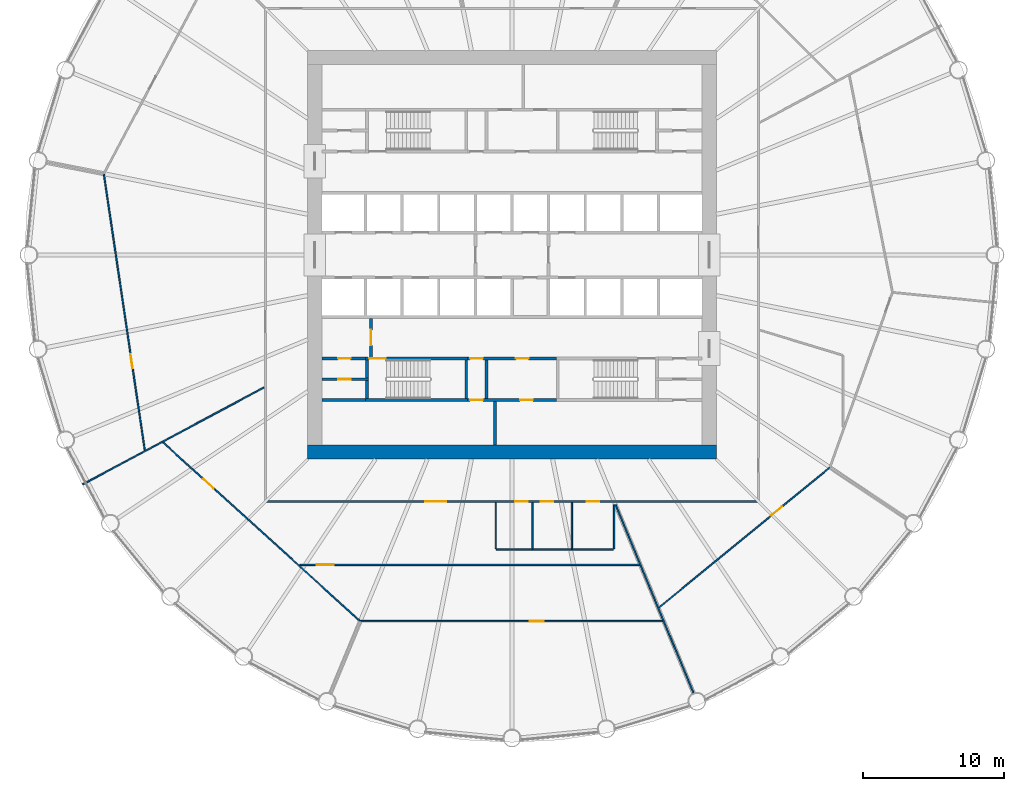
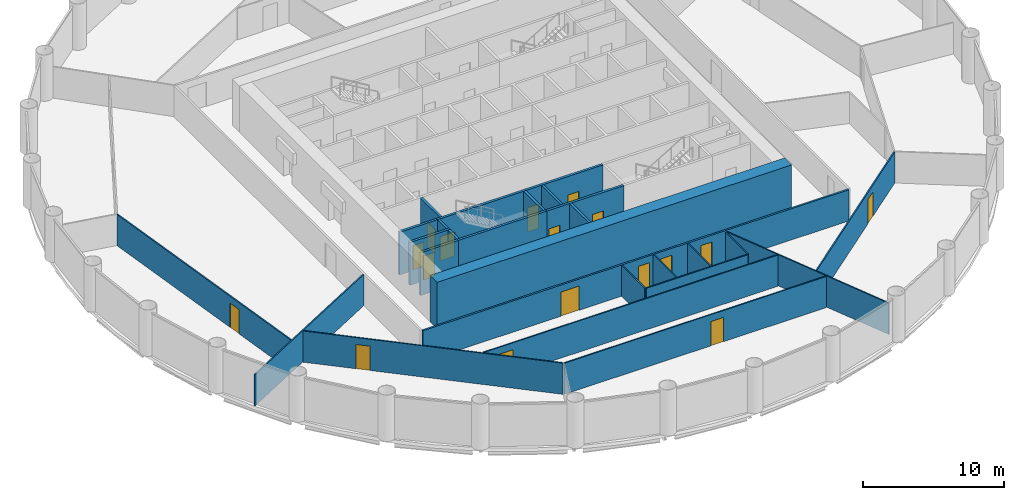
# One storey, part 4 of 8: 27 walls, 17 doors, 17 openings.
"""IFC4 building model written with IfcOpenShell, lengths in metres."""

import ifcopenshell
import ifcopenshell.guid

model = None  # the IFC model being written
_history = None  # IfcOwnerHistory: only IFC2X3 demands one
_inside = {}  # id of a spatial element -> (the spatial element, [elements in it])
_under = {}  # id of a project, library or spatial element -> (it, [spatial elements below it])
_declared = {}  # id of a project -> (the project, [libraries it declares])
_typed = {}  # id of a type object -> (the type object, [elements of that type])
_made_of = {}  # id of a material, layer set ... -> (it, [elements and type objects made of it])


def new_model(schema):
    """Start an empty IFC model of exactly this schema.

    Asked for "IFC4X3", IfcOpenShell would pick the latest addendum, in which some entities
    have other attributes; the version numbers below select the first issue.
    IFC2X3 requires an IfcOwnerHistory on every rooted entity: one is made here for all.
    """
    global model, _history
    if schema == "IFC4X3":
        model = ifcopenshell.file(schema_version=(4, 3, 0, 0))
    else:
        model = ifcopenshell.file(schema=schema)
    _inside.clear()
    _under.clear()
    _declared.clear()
    _typed.clear()
    _made_of.clear()
    _history = None
    if model.schema == "IFC2X3":
        org = make("IfcOrganization", Name="unknown")
        user = make(
            "IfcPersonAndOrganization",
            ThePerson=make("IfcPerson", FamilyName="unknown"),
            TheOrganization=org,
        )
        app = make(
            "IfcApplication",
            ApplicationDeveloper=org,
            Version="unknown",
            ApplicationFullName="unknown",
            ApplicationIdentifier="unknown",
        )
        _history = make(
            "IfcOwnerHistory",
            OwningUser=user,
            OwningApplication=app,
            ChangeAction="ADDED",
            CreationDate=0,
        )
    return model


def make(cls, **values):
    """One entity of the class cls with the attributes given. An attribute that is None is left unset."""
    return model.create_entity(
        cls, **{name: value for name, value in values.items() if value is not None}
    )


def rooted(cls, **values):
    """An entity with a GlobalId (a new one), such as an element, a storey or a relation."""
    return make(cls, GlobalId=ifcopenshell.guid.new(), OwnerHistory=_history, **values)


def si_unit(unit_type, name, prefix=None):
    """IfcSIUnit, for example si_unit("LENGTHUNIT", "METRE", prefix="MILLI")."""
    return make("IfcSIUnit", UnitType=unit_type, Prefix=prefix, Name=name)


def assignment(units):
    """IfcUnitAssignment: the units of a project."""
    return None if units is None else make("IfcUnitAssignment", Units=units)


def point(xyz):
    """IfcCartesianPoint."""
    return None if xyz is None else make("IfcCartesianPoint", Coordinates=xyz)


def direction(xyz):
    """IfcDirection."""
    return None if xyz is None else make("IfcDirection", DirectionRatios=xyz)


def frame(location, z_axis=None, x_axis=None):
    """IfcAxis2Placement3D, a coordinate frame: its origin and axes. An axis left out is left unset."""
    return make(
        "IfcAxis2Placement3D",
        Location=point(location),
        Axis=direction(z_axis),
        RefDirection=direction(x_axis),
    )


def frame_2d(location, x_axis=None):
    """IfcAxis2Placement2D, a coordinate frame in the plane: its origin and x axis."""
    return make(
        "IfcAxis2Placement2D", Location=point(location), RefDirection=direction(x_axis)
    )


def origin():
    """The frame at (0, 0, 0) with its axes left unset."""
    return frame((0.0, 0.0, 0.0))


def place(relative_to, where):
    """IfcLocalPlacement: puts the frame where relative to a parent placement (None: the world)."""
    return make(
        "IfcLocalPlacement", PlacementRelTo=relative_to, RelativePlacement=where
    )


def context(
    kind, dimensions, precision=None, world=None, true_north=None, identifier=None
):
    """IfcGeometricRepresentationContext, for example the 3D "Model" context."""
    return make(
        "IfcGeometricRepresentationContext",
        ContextIdentifier=identifier,
        ContextType=kind,
        CoordinateSpaceDimension=dimensions,
        Precision=precision,
        WorldCoordinateSystem=world,
        TrueNorth=true_north,
    )


def subcontext(parent, identifier, kind, view, scale=None):
    """IfcGeometricRepresentationSubContext, for example "Body" below "Model"."""
    return make(
        "IfcGeometricRepresentationSubContext",
        ContextIdentifier=identifier,
        ContextType=kind,
        ParentContext=parent,
        TargetScale=scale,
        TargetView=view,
    )


def project(units=None, contexts=None):
    """IfcProject with its units and contexts."""
    return rooted(
        "IfcProject",
        Name="project",
        RepresentationContexts=contexts,
        UnitsInContext=assignment(units),
    )


def spatial(cls, under=None, at=None, **own):
    """A site, building, storey or space (cls), placed at a placement, below another one or the project."""
    s = rooted(cls, ObjectPlacement=at, **own)
    if under is not None:
        _under.setdefault(under.id(), (under, []))[1].append(s)
    return s


def polyline(points):
    """IfcPolyline through the points."""
    return make("IfcPolyline", Points=[point(p) for p in points])


def profile(cls, at=None, kind="AREA", **sizes):
    """A parametric profile (cls). Its sizes go by their IFC names, for example OverallWidth=200.0."""
    return make(cls, ProfileType=kind, Position=at, **sizes)


def rectangle(**sizes):
    """IfcRectangleProfileDef."""
    return profile("IfcRectangleProfileDef", **sizes)


def outline(outer, holes=None, kind="AREA"):
    """IfcArbitraryClosedProfileDef: a profile drawn as a closed curve; with holes, ...WithVoids."""
    if holes is None:
        return make("IfcArbitraryClosedProfileDef", ProfileType=kind, OuterCurve=outer)
    return make(
        "IfcArbitraryProfileDefWithVoids",
        ProfileType=kind,
        OuterCurve=outer,
        InnerCurves=holes,
    )


def extrude(swept, where, along, depth):
    """IfcExtrudedAreaSolid: the profile swept, set in the frame where, extruded along a direction by depth."""
    return make(
        "IfcExtrudedAreaSolid",
        SweptArea=swept,
        Position=where,
        ExtrudedDirection=direction(along),
        Depth=depth,
    )


def shape(context_of_items, identifier, shape_type, items):
    """IfcShapeRepresentation: the items that make up one representation, for example the "Body"."""
    return make(
        "IfcShapeRepresentation",
        ContextOfItems=context_of_items,
        RepresentationIdentifier=identifier,
        RepresentationType=shape_type,
        Items=items,
    )


def material(Name=None, Category=None):
    """IfcMaterial."""
    return make("IfcMaterial", Name=Name, Category=Category)


def layer(
    of_material, thickness, ventilated=None, Name=None, Category=None, Priority=None
):
    """IfcMaterialLayer: one layer of a wall or slab, of a material (None: an air gap)."""
    return make(
        "IfcMaterialLayer",
        Material=of_material,
        LayerThickness=thickness,
        IsVentilated=ventilated,
        Name=Name,
        Category=Category,
        Priority=Priority,
    )


def layer_set(layers, Name=None):
    """IfcMaterialLayerSet."""
    return make("IfcMaterialLayerSet", MaterialLayers=layers, LayerSetName=Name)


def made_of(thing, what):
    """Note that an element or type object is made of a material, layer set ...; save() writes the relation."""
    if what is not None:
        _made_of.setdefault(what.id(), (what, []))[1].append(thing)
    return thing


def type_object(cls, material=None, **own):
    """A type object (cls), such as IfcWallType, which elements share."""
    return made_of(rooted(cls, **own), material)


def element(
    cls,
    number,
    at=None,
    inside=None,
    cuts=None,
    type_object=None,
    material=None,
    context=None,
    identifier="Body",
    shape_type=None,
    held_by="IfcProductDefinitionShape",
    body=None,
    shapes=None,
    **own,
):
    """One element of the class cls, such as IfcWall. Its Tag is "e" and its number.

    at: its placement. inside: the storey or other place that contains it. cuts: it is an
    opening in that element (IfcRelVoidsElement). A single representation is given by context,
    identifier, shape_type and body (its items); several are given by shapes. held_by: the class
    of the entity that holds the representations. save() writes the other relations.
    """
    e = rooted(cls, Tag="e%d" % number, ObjectPlacement=at, **own)
    if body is not None:
        shapes = [shape(context, identifier, shape_type, body)]
    if shapes is not None:
        e.Representation = make(held_by, Representations=shapes)
    if inside is not None:
        _inside.setdefault(inside.id(), (inside, []))[1].append(e)
    if cuts is not None:
        rooted(
            "IfcRelVoidsElement", RelatingBuildingElement=cuts, RelatedOpeningElement=e
        )
    if type_object is not None:
        _typed.setdefault(type_object.id(), (type_object, []))[1].append(e)
    return made_of(e, material)


def fill(opening, filler):
    """IfcRelFillsElement: the door or window that sits in an opening."""
    return rooted(
        "IfcRelFillsElement",
        RelatingOpeningElement=opening,
        RelatedBuildingElement=filler,
    )


def aggregate(whole, parts):
    """IfcRelAggregates: a whole, such as a stair, and the parts it consists of."""
    return rooted("IfcRelAggregates", RelatingObject=whole, RelatedObjects=parts)


def save(model, path):
    """Write the relations noted so far, then the file.

    IfcRelAggregates (storeys below a building ...), IfcRelContainedInSpatialStructure (elements
    in a storey), IfcRelDefinesByType, IfcRelAssociatesMaterial and IfcRelDeclares: one each for
    every whole, place, type object, material and project.
    """
    for whole, parts in _under.values():
        aggregate(whole, parts)
    for where, things in _inside.values():
        rooted(
            "IfcRelContainedInSpatialStructure",
            RelatedElements=things,
            RelatingStructure=where,
        )
    for kind, things in _typed.values():
        rooted("IfcRelDefinesByType", RelatedObjects=things, RelatingType=kind)
    for what, things in _made_of.values():
        rooted("IfcRelAssociatesMaterial", RelatedObjects=things, RelatingMaterial=what)
    for by, libraries in _declared.values():
        rooted("IfcRelDeclares", RelatingContext=by, RelatedDefinitions=libraries)
    model.write(path)


model = new_model("IFC4")

# Units and contexts
model_context = context("Model", 3, precision=1e-05, world=origin(), true_north=direction((0.0, 1.0)))
body_context = subcontext(model_context, "Body", "Model", "MODEL_VIEW")
ifc_project = project(units=[si_unit("LENGTHUNIT", "METRE"), si_unit("AREAUNIT", "SQUARE_METRE"), si_unit("VOLUMEUNIT", "CUBIC_METRE"), si_unit("PLANEANGLEUNIT", "RADIAN"), si_unit("MASSUNIT", "GRAM", prefix="KILO")], contexts=[model_context])

# Site, building, storey
site_placement = place(None, origin())
site = spatial("IfcSite", under=ifc_project, at=site_placement, CompositionType="ELEMENT")
building_placement = place(site_placement, origin())
building = spatial("IfcBuilding", under=site, at=building_placement, Name="Corvane Civic Tower", CompositionType="ELEMENT")
storey_placement = place(building_placement, frame((0.0, 0.0, 114.5)))
storey = spatial("IfcBuildingStorey", under=building, at=storey_placement, Name="L26", CompositionType="ELEMENT", Elevation=114.5)

# Wall
ifc_material_1 = material(Name="Concrete C70/85", Category="concrete")
ifc_layer_1 = layer(ifc_material_1, 1.0)
ifc_layer_set_1 = layer_set([ifc_layer_1], Name="Concrete C70/85")
wall_type_1 = type_object("IfcWallType", Name="CORE WALL 1000 C70/85", PredefinedType="SHEAR", material=ifc_layer_set_1)
wall_1_placement = place(storey_placement, frame((-14.5, -14.0, 0.0), z_axis=(0.0, 0.0, 1.0), x_axis=(1.0, 0.0, 0.0)))
element("IfcWall", 1, at=wall_1_placement, inside=storey, type_object=wall_type_1, Name="W-L26-core-S", PredefinedType="SHEAR", context=body_context, shape_type="SweptSolid", body=[
    extrude(rectangle(XDim=29.0, YDim=1.0, at=frame_2d((14.5, 0.0))), origin(), (0.0, 0.0, 1.0), 4.0),
])

# Wall, openings, doors
ifc_material_2 = material(Name="Concrete C30/37", Category="concrete")
ifc_layer_2 = layer(ifc_material_2, 0.199951171875)
ifc_layer_set_2 = layer_set([ifc_layer_2], Name="Concrete C30/37")
wall_type_2 = type_object("IfcWallType", Name="CR-WALL-200", PredefinedType="PARTITIONING", material=ifc_layer_set_2)
wall_2_placement = place(storey_placement, frame((-3.14990234375, -10.300048828125, 0.0), z_axis=(0.0, 0.0, 1.0), x_axis=(1.0, 0.0, 0.0)))
wall_2 = element("IfcWall", 2, at=wall_2_placement, inside=storey, type_object=wall_type_2, Name="L26 partition wall", PredefinedType="PARTITIONING", context=body_context, shape_type="SweptSolid", body=[
    extrude(rectangle(XDim=6.2998046875, YDim=0.199951171875, at=frame_2d((3.14990234375, 0.0))), origin(), (0.0, 0.0, 1.0), 3.699951171875),
])
opening_1_placement = place(wall_2_placement, frame((0.175048828125, 0.0, 0.0)))
opening_1 = element("IfcOpeningElement", 3, at=opening_1_placement, cuts=wall_2, Name="Opening L26.C08", PredefinedType="OPENING", context=body_context, shape_type="SweptSolid", body=[
    extrude(rectangle(XDim=0.89990234375, YDim=2.10009765625, at=frame_2d((0.449951171875, 1.050048828125))), frame((0.0, 0.10986328125, 0.0), z_axis=(0.0, -1.0, 0.0), x_axis=(1.0, 0.0, 0.0)), (0.0, 0.0, 1.0), 0.219970703125),
])
opening_2_placement = place(wall_2_placement, frame((3.72509765625, 0.0, 0.0)))
opening_2 = element("IfcOpeningElement", 4, at=opening_2_placement, cuts=wall_2, Name="Opening L26.C09", PredefinedType="OPENING", context=body_context, shape_type="SweptSolid", body=[
    extrude(rectangle(XDim=0.89990234375, YDim=2.10009765625, at=frame_2d((0.449951171875, 1.050048828125))), frame((0.0, 0.10986328125, 0.0), z_axis=(0.0, -1.0, 0.0), x_axis=(1.0, 0.0, 0.0)), (0.0, 0.0, 1.0), 0.219970703125),
])
ifc_material_3 = material(Name="Steel fire door leaf", Category="steel")
door_type_1 = type_object("IfcDoorType", Name="CR-DOOR-900", OperationType="SINGLE_SWING_LEFT", PredefinedType="DOOR", material=ifc_material_3)
door_1_placement = place(opening_1_placement, origin())
door_1 = element("IfcDoor", 5, at=door_1_placement, inside=storey, type_object=door_type_1, Name="L26 door", OperationType="SINGLE_SWING_LEFT", OverallHeight=2.10009765625, OverallWidth=0.89990234375, PredefinedType="DOOR", context=body_context, shape_type="SweptSolid", body=[
    extrude(rectangle(XDim=0.89990234375, YDim=2.10009765625, at=frame_2d((0.449951171875, 1.050048828125))), frame((0.0, 0.02490234375, 0.0), z_axis=(0.0, -1.0, 0.0), x_axis=(1.0, 0.0, 0.0)), (0.0, 0.0, 1.0), 0.050048828125),
])
fill(opening_1, door_1)
door_2_placement = place(opening_2_placement, origin())
door_2 = element("IfcDoor", 6, at=door_2_placement, inside=storey, type_object=door_type_1, Name="L26 door", OperationType="SINGLE_SWING_LEFT", OverallHeight=2.10009765625, OverallWidth=0.89990234375, PredefinedType="DOOR", context=body_context, shape_type="SweptSolid", body=[
    extrude(rectangle(XDim=0.89990234375, YDim=2.10009765625, at=frame_2d((0.449951171875, 1.050048828125))), frame((0.0, 0.02490234375, 0.0), z_axis=(0.0, -1.0, 0.0), x_axis=(1.0, 0.0, 0.0)), (0.0, 0.0, 1.0), 0.050048828125),
])
fill(opening_2, door_2)

# Wall, opening, door
wall_3_placement = place(storey_placement, frame((-13.5, -8.824951171875, 0.0), z_axis=(0.0, 0.0, 1.0), x_axis=(1.0, 0.0, 0.0)))
wall_3 = element("IfcWall", 7, at=wall_3_placement, inside=storey, type_object=wall_type_2, Name="L26 partition wall", PredefinedType="PARTITIONING", context=body_context, shape_type="SweptSolid", body=[
    extrude(rectangle(XDim=3.300048828125, YDim=0.199951171875, at=frame_2d((1.64990234375, 0.0))), origin(), (0.0, 0.0, 1.0), 3.699951171875),
])
opening_3_placement = place(wall_3_placement, frame((1.14990234375, 0.0, 0.0)))
opening_3 = element("IfcOpeningElement", 8, at=opening_3_placement, cuts=wall_3, Name="Opening L26.C13", PredefinedType="OPENING", context=body_context, shape_type="SweptSolid", body=[
    extrude(rectangle(XDim=0.89990234375, YDim=2.10009765625, at=frame_2d((0.449951171875, 1.050048828125))), frame((0.0, 0.10986328125, 0.0), z_axis=(0.0, -1.0, 0.0), x_axis=(1.0, 0.0, 0.0)), (0.0, 0.0, 1.0), 0.219970703125),
])
door_3_placement = place(opening_3_placement, origin())
door_3 = element("IfcDoor", 9, at=door_3_placement, inside=storey, type_object=door_type_1, Name="L26 door", OperationType="SINGLE_SWING_LEFT", OverallHeight=2.10009765625, OverallWidth=0.89990234375, PredefinedType="DOOR", context=body_context, shape_type="SweptSolid", body=[
    extrude(rectangle(XDim=0.89990234375, YDim=2.10009765625, at=frame_2d((0.449951171875, 1.050048828125))), frame((0.0, 0.02490234375, 0.0), z_axis=(0.0, -1.0, 0.0), x_axis=(1.0, 0.0, 0.0)), (0.0, 0.0, 1.0), 0.050048828125),
])
fill(opening_3, door_3)

wall_4_placement = place(storey_placement, frame((-13.5, -7.35009765625, 0.0), z_axis=(0.0, 0.0, 1.0), x_axis=(1.0, 0.0, 0.0)))
wall_4 = element("IfcWall", 10, at=wall_4_placement, inside=storey, type_object=wall_type_2, Name="L26 core partition wall", PredefinedType="PARTITIONING", context=body_context, shape_type="SweptSolid", body=[
    extrude(rectangle(XDim=3.10009765625, YDim=0.199951171875, at=frame_2d((1.550048828125, 0.0))), origin(), (0.0, 0.0, 1.0), 3.699951171875),
])
opening_4_placement = place(wall_4_placement, frame((1.14990234375, 0.0, 0.0)))
opening_4 = element("IfcOpeningElement", 11, at=opening_4_placement, cuts=wall_4, Name="Opening L26.C12", PredefinedType="OPENING", context=body_context, shape_type="SweptSolid", body=[
    extrude(rectangle(XDim=0.89990234375, YDim=2.10009765625, at=frame_2d((0.449951171875, 1.050048828125))), frame((0.0, 0.10986328125, 0.0), z_axis=(0.0, -1.0, 0.0), x_axis=(1.0, 0.0, 0.0)), (0.0, 0.0, 1.0), 0.219970703125),
])
door_4_placement = place(opening_4_placement, origin())
door_4 = element("IfcDoor", 12, at=door_4_placement, inside=storey, type_object=door_type_1, Name="L26 door", OperationType="SINGLE_SWING_LEFT", OverallHeight=2.10009765625, OverallWidth=0.89990234375, PredefinedType="DOOR", context=body_context, shape_type="SweptSolid", body=[
    extrude(rectangle(XDim=0.89990234375, YDim=2.10009765625, at=frame_2d((0.449951171875, 1.050048828125))), frame((0.0, 0.02490234375, 0.0), z_axis=(0.0, -1.0, 0.0), x_axis=(1.0, 0.0, 0.0)), (0.0, 0.0, 1.0), 0.050048828125),
])
fill(opening_4, door_4)

# Wall, openings, doors
wall_5_placement = place(storey_placement, frame((-3.14990234375, -7.35009765625, 0.0), z_axis=(0.0, 0.0, 1.0), x_axis=(1.0, 0.0, 0.0)))
wall_5 = element("IfcWall", 13, at=wall_5_placement, inside=storey, type_object=wall_type_2, Name="L26 core partition wall", PredefinedType="PARTITIONING", context=body_context, shape_type="SweptSolid", body=[
    extrude(rectangle(XDim=6.2998046875, YDim=0.199951171875, at=frame_2d((3.14990234375, 0.0))), origin(), (0.0, 0.0, 1.0), 3.699951171875),
])
opening_5_placement = place(wall_5_placement, frame((0.175048828125, 0.0, 0.0)))
opening_5 = element("IfcOpeningElement", 14, at=opening_5_placement, cuts=wall_5, Name="Opening L26.C04", PredefinedType="OPENING", context=body_context, shape_type="SweptSolid", body=[
    extrude(rectangle(XDim=0.89990234375, YDim=2.10009765625, at=frame_2d((0.449951171875, 1.050048828125))), frame((0.0, 0.10986328125, 0.0), z_axis=(0.0, -1.0, 0.0), x_axis=(1.0, 0.0, 0.0)), (0.0, 0.0, 1.0), 0.219970703125),
])
opening_6_placement = place(wall_5_placement, frame((3.425048828125, 0.0, 0.0)))
opening_6 = element("IfcOpeningElement", 15, at=opening_6_placement, cuts=wall_5, Name="Opening L26.C05", PredefinedType="OPENING", context=body_context, shape_type="SweptSolid", body=[
    extrude(rectangle(XDim=0.89990234375, YDim=2.10009765625, at=frame_2d((0.449951171875, 1.050048828125))), frame((0.0, 0.10986328125, 0.0), z_axis=(0.0, -1.0, 0.0), x_axis=(1.0, 0.0, 0.0)), (0.0, 0.0, 1.0), 0.219970703125),
])
door_5_placement = place(opening_5_placement, origin())
door_5 = element("IfcDoor", 16, at=door_5_placement, inside=storey, type_object=door_type_1, Name="L26 door", OperationType="SINGLE_SWING_LEFT", OverallHeight=2.10009765625, OverallWidth=0.89990234375, PredefinedType="DOOR", context=body_context, shape_type="SweptSolid", body=[
    extrude(rectangle(XDim=0.89990234375, YDim=2.10009765625, at=frame_2d((0.449951171875, 1.050048828125))), frame((0.0, 0.02490234375, 0.0), z_axis=(0.0, -1.0, 0.0), x_axis=(1.0, 0.0, 0.0)), (0.0, 0.0, 1.0), 0.050048828125),
])
fill(opening_5, door_5)
door_6_placement = place(opening_6_placement, origin())
door_6 = element("IfcDoor", 17, at=door_6_placement, inside=storey, type_object=door_type_1, Name="L26 door", OperationType="SINGLE_SWING_LEFT", OverallHeight=2.10009765625, OverallWidth=0.89990234375, PredefinedType="DOOR", context=body_context, shape_type="SweptSolid", body=[
    extrude(rectangle(XDim=0.89990234375, YDim=2.10009765625, at=frame_2d((0.449951171875, 1.050048828125))), frame((0.0, 0.02490234375, 0.0), z_axis=(0.0, -1.0, 0.0), x_axis=(1.0, 0.0, 0.0)), (0.0, 0.0, 1.0), 0.050048828125),
])
fill(opening_6, door_6)

# Wall, opening, door
wall_6_placement = place(storey_placement, frame((-10.0, -7.25, 0.0), z_axis=(0.0, 0.0, 1.0), x_axis=(0.0, 1.0, 0.0)))
wall_6 = element("IfcWall", 18, at=wall_6_placement, inside=storey, type_object=wall_type_2, Name="L26 core partition wall", PredefinedType="PARTITIONING", context=body_context, shape_type="SweptSolid", body=[
    extrude(rectangle(XDim=2.75, YDim=0.199951171875, at=frame_2d((1.375, 0.0))), origin(), (0.0, 0.0, 1.0), 3.699951171875),
])
opening_7_placement = place(wall_6_placement, frame((0.824951171875, 0.0, 0.0)))
opening_7 = element("IfcOpeningElement", 19, at=opening_7_placement, cuts=wall_6, Name="Opening L26.C26", PredefinedType="OPENING", context=body_context, shape_type="SweptSolid", body=[
    extrude(rectangle(XDim=1.10009765625, YDim=2.10009765625, at=frame_2d((0.550048828125, 1.050048828125))), frame((0.0, 0.10986328125, 0.0), z_axis=(0.0, -1.0, 0.0), x_axis=(1.0, 0.0, 0.0)), (0.0, 0.0, 1.0), 0.219970703125),
])
ifc_material_4 = material(Name="Steel fire door leaf", Category="steel")
door_type_2 = type_object("IfcDoorType", Name="CR-DOOR-FFL-1100", OperationType="SINGLE_SWING_LEFT", PredefinedType="DOOR", material=ifc_material_4)
door_7_placement = place(opening_7_placement, origin())
door_7 = element("IfcDoor", 20, at=door_7_placement, inside=storey, type_object=door_type_2, Name="L26 lobby door", OperationType="SINGLE_SWING_LEFT", OverallHeight=2.10009765625, OverallWidth=1.10009765625, PredefinedType="DOOR", context=body_context, shape_type="SweptSolid", body=[
    extrude(rectangle(XDim=1.10009765625, YDim=2.10009765625, at=frame_2d((0.550048828125, 1.050048828125))), frame((0.0, 0.02490234375, 0.0), z_axis=(0.0, -1.0, 0.0), x_axis=(1.0, 0.0, 0.0)), (0.0, 0.0, 1.0), 0.050048828125),
])
fill(opening_7, door_7)

# Walls
wall_7_placement = place(storey_placement, origin())
element("IfcWall", 21, at=wall_7_placement, inside=storey, type_object=wall_type_2, Name="L26 core partition wall", PredefinedType="PARTITIONING", context=body_context, shape_type="SweptSolid", body=[
    extrude(outline(polyline([(-10.39990234375, -10.39990234375), (-13.5, -10.39990234375), (-13.5, -10.199951171875), (-10.39990234375, -10.199951171875), (-10.39990234375, -10.39990234375)])), origin(), (0.0, 0.0, 1.0), 3.699951171875),
])
wall_8_placement = place(storey_placement, origin())
element("IfcWall", 22, at=wall_8_placement, inside=storey, type_object=wall_type_2, Name="L26 core partition wall", PredefinedType="PARTITIONING", context=body_context, shape_type="SweptSolid", body=[
    extrude(outline(polyline([(-1.699951171875, -7.449951171875), (-1.699951171875, -10.199951171875), (-1.89990234375, -10.199951171875), (-1.89990234375, -7.449951171875), (-1.699951171875, -7.449951171875)])), origin(), (0.0, 0.0, 1.0), 3.699951171875),
])
wall_9_placement = place(storey_placement, origin())
element("IfcWall", 23, at=wall_9_placement, inside=storey, type_object=wall_type_2, Name="L26 core partition wall", PredefinedType="PARTITIONING", context=body_context, shape_type="SweptSolid", body=[
    extrude(outline(polyline([(-1.10009765625, -10.39990234375), (-1.10009765625, -13.5), (-1.300048828125, -13.5), (-1.300048828125, -10.39990234375), (-1.10009765625, -10.39990234375)])), origin(), (0.0, 0.0, 1.0), 3.699951171875),
])
ifc_material_5 = material(Name="Plasterboard")
ifc_layer_3 = layer(ifc_material_5, 0.10009765625)
ifc_layer_set_3 = layer_set([ifc_layer_3], Name="Plasterboard")
wall_type_3 = type_object("IfcWallType", Name="Partition 100 plasterboard on studs", PredefinedType="PARTITIONING", material=ifc_layer_set_3)
wall_10_placement = place(storey_placement, frame((7.344970703125, -17.732177734375, 0.0), z_axis=(0.0, 0.0, 1.0), x_axis=(0.382683554333, -0.923879481991, 0.0)))
element("IfcWall", 24, at=wall_10_placement, inside=storey, type_object=wall_type_3, Name="Partition L26.002", PredefinedType="PARTITIONING", context=body_context, shape_type="SweptSolid", body=[
    extrude(rectangle(XDim=14.4716796875, YDim=0.10009765625, at=frame_2d((7.23583984375, 0.0))), origin(), (0.0, 0.0, 1.0), 2.699951171875),
])

# Wall, opening, door
wall_11_placement = place(storey_placement, frame((-10.736328125, -26.00048828125, 0.0), z_axis=(0.0, 0.0, 1.0), x_axis=(1.0, 0.0, 0.0)))
wall_11 = element("IfcWall", 25, at=wall_11_placement, inside=storey, type_object=wall_type_3, Name="Partition L26.003", PredefinedType="PARTITIONING", context=body_context, shape_type="SweptSolid", body=[
    extrude(rectangle(XDim=21.43115234375, YDim=0.10009765625, at=frame_2d((10.715576171875, 0.0))), origin(), (0.0, 0.0, 1.0), 2.699951171875),
])
opening_8_placement = place(wall_11_placement, frame((11.990966796875, 0.0, 0.0)))
opening_8 = element("IfcOpeningElement", 26, at=opening_8_placement, cuts=wall_11, Name="Opening L26.001", PredefinedType="OPENING", context=body_context, shape_type="SweptSolid", body=[
    extrude(rectangle(XDim=1.0, YDim=2.10009765625, at=frame_2d((0.5, 1.050048828125))), frame((0.0, 0.06005859375, 0.0), z_axis=(0.0, -1.0, 0.0), x_axis=(1.0, 0.0, 0.0)), (0.0, 0.0, 1.0), 0.1201171875),
])
ifc_material_6 = material(Name="Timber", Category="wood")
door_type_3 = type_object("IfcDoorType", Name="Single door 1000", OperationType="NOTDEFINED", PredefinedType="DOOR", material=ifc_material_6)
door_8_placement = place(opening_8_placement, frame((1.0, 0.0, 0.0), z_axis=(0.0, 0.0, 1.0), x_axis=(-1.0, 0.0, 0.0)))
door_8 = element("IfcDoor", 27, at=door_8_placement, inside=storey, type_object=door_type_3, Name="Door L26.001", OperationType="SINGLE_SWING_RIGHT", OverallHeight=2.10009765625, OverallWidth=1.0, PredefinedType="DOOR", context=body_context, shape_type="SweptSolid", body=[
    extrude(rectangle(XDim=1.0, YDim=2.10009765625, at=frame_2d((0.5, 1.050048828125))), frame((0.0, 0.02490234375, 0.0), z_axis=(0.0, -1.0, 0.0), x_axis=(1.0, 0.0, 0.0)), (0.0, 0.0, 1.0), 0.050048828125),
])
fill(opening_8, door_8)

wall_12_placement = place(storey_placement, frame((-24.766845703125, -13.31396484375, 0.0), z_axis=(0.0, 0.0, 1.0), x_axis=(0.740942857596, -0.671568076801, 0.0)))
wall_12 = element("IfcWall", 28, at=wall_12_placement, inside=storey, type_object=wall_type_3, Name="Partition L26.004", PredefinedType="PARTITIONING", context=body_context, shape_type="SweptSolid", body=[
    extrude(rectangle(XDim=18.855712890625, YDim=0.10009765625, at=frame_2d((9.427734375, 0.0))), origin(), (0.0, 0.0, 1.0), 2.699951171875),
])
opening_9_placement = place(wall_12_placement, frame((3.844482421875, 0.0, 0.0)))
opening_9 = element("IfcOpeningElement", 29, at=opening_9_placement, cuts=wall_12, Name="Opening L26.002", PredefinedType="OPENING", context=body_context, shape_type="SweptSolid", body=[
    extrude(rectangle(XDim=1.0, YDim=2.10009765625, at=frame_2d((0.5, 1.050048828125))), frame((0.0, 0.06005859375, 0.0), z_axis=(0.0, -1.0, 0.0), x_axis=(1.0, 0.0, 0.0)), (0.0, 0.0, 1.0), 0.1201171875),
])
door_9_placement = place(opening_9_placement, frame((1.0, 0.0, 0.0), z_axis=(0.0, 0.0, 1.0), x_axis=(-1.0, 0.0, 0.0)))
door_9 = element("IfcDoor", 30, at=door_9_placement, inside=storey, type_object=door_type_3, Name="Door L26.002", OperationType="SINGLE_SWING_LEFT", OverallHeight=2.10009765625, OverallWidth=1.0, PredefinedType="DOOR", context=body_context, shape_type="SweptSolid", body=[
    extrude(rectangle(XDim=1.0, YDim=2.10009765625, at=frame_2d((0.5, 1.050048828125))), frame((0.0, 0.02490234375, 0.0), z_axis=(0.0, -1.0, 0.0), x_axis=(1.0, 0.0, 0.0)), (0.0, 0.0, 1.0), 0.050048828125),
])
fill(opening_9, door_9)

wall_13_placement = place(storey_placement, frame((10.438720703125, -25.03271484375, 0.0), z_axis=(0.0, 0.0, 1.0), x_axis=(0.773000215974, 0.634405758252, 0.0)))
wall_13 = element("IfcWall", 31, at=wall_13_placement, inside=storey, type_object=wall_type_3, Name="Partition L26.005", PredefinedType="PARTITIONING", context=body_context, shape_type="SweptSolid", body=[
    extrude(rectangle(XDim=15.653076171875, YDim=0.10009765625, at=frame_2d((7.82666015625, 0.0))), origin(), (0.0, 0.0, 1.0), 2.699951171875),
])
opening_10_placement = place(wall_13_placement, frame((10.2841796875, 0.0, 0.0)))
opening_10 = element("IfcOpeningElement", 32, at=opening_10_placement, cuts=wall_13, Name="Opening L26.019", PredefinedType="OPENING", context=body_context, shape_type="SweptSolid", body=[
    extrude(rectangle(XDim=1.0, YDim=2.10009765625, at=frame_2d((0.5, 1.050048828125))), frame((0.0, 0.06005859375, 0.0), z_axis=(0.0, -1.0, 0.0), x_axis=(1.0, 0.0, 0.0)), (0.0, 0.0, 1.0), 0.1201171875),
])
door_10_placement = place(opening_10_placement, frame((1.0, 0.0, 0.0), z_axis=(0.0, 0.0, 1.0), x_axis=(-1.0, 0.0, 0.0)))
door_10 = element("IfcDoor", 33, at=door_10_placement, inside=storey, type_object=door_type_3, Name="Door L26.019", OperationType="SINGLE_SWING_RIGHT", OverallHeight=2.10009765625, OverallWidth=1.0, PredefinedType="DOOR", context=body_context, shape_type="SweptSolid", body=[
    extrude(rectangle(XDim=1.0, YDim=2.10009765625, at=frame_2d((0.5, 1.050048828125))), frame((0.0, 0.02490234375, 0.0), z_axis=(0.0, -1.0, 0.0), x_axis=(1.0, 0.0, 0.0)), (0.0, 0.0, 1.0), 0.050048828125),
])
fill(opening_10, door_10)

wall_14_placement = place(storey_placement, frame((-15.0537109375, -22.0, 0.0), z_axis=(0.0, 0.0, 1.0), x_axis=(1.0, 0.0, 0.0)))
wall_14 = element("IfcWall", 34, at=wall_14_placement, inside=storey, type_object=wall_type_3, Name="Partition L26.006", PredefinedType="PARTITIONING", context=body_context, shape_type="SweptSolid", body=[
    extrude(rectangle(XDim=24.091552734375, YDim=0.10009765625, at=frame_2d((12.0458984375, 0.0))), origin(), (0.0, 0.0, 1.0), 2.699951171875),
])
opening_11_placement = place(wall_14_placement, frame((1.205078125, 0.0, 0.0)))
opening_11 = element("IfcOpeningElement", 35, at=opening_11_placement, cuts=wall_14, Name="Opening L26.003", PredefinedType="OPENING", context=body_context, shape_type="SweptSolid", body=[
    extrude(rectangle(XDim=1.199951171875, YDim=2.10009765625, at=frame_2d((0.60009765625, 1.050048828125))), frame((0.0, 0.06005859375, 0.0), z_axis=(0.0, -1.0, 0.0), x_axis=(1.0, 0.0, 0.0)), (0.0, 0.0, 1.0), 0.1201171875),
])
ifc_material_7 = material(Name="Timber", Category="wood")
door_type_4 = type_object("IfcDoorType", Name="Double door 1200", OperationType="NOTDEFINED", PredefinedType="DOOR", material=ifc_material_7)
door_11_placement = place(opening_11_placement, frame((1.199951171875, 0.0, 0.0), z_axis=(0.0, 0.0, 1.0), x_axis=(-1.0, 0.0, 0.0)))
door_11 = element("IfcDoor", 36, at=door_11_placement, inside=storey, type_object=door_type_4, Name="Door L26.003", OperationType="DOUBLE_DOOR_SINGLE_SWING", OverallHeight=2.10009765625, OverallWidth=1.199951171875, PredefinedType="DOOR", context=body_context, shape_type="SweptSolid", body=[
    extrude(rectangle(XDim=1.199951171875, YDim=2.10009765625, at=frame_2d((0.60009765625, 1.050048828125))), frame((0.0, 0.02490234375, 0.0), z_axis=(0.0, -1.0, 0.0), x_axis=(1.0, 0.0, 0.0)), (0.0, 0.0, 1.0), 0.050048828125),
])
fill(opening_11, door_11)

# Walls
wall_15_placement = place(storey_placement, frame((-1.101318359375, -20.89990234375, 0.0), z_axis=(0.0, 0.0, 1.0), x_axis=(1.0, 0.0, 0.0)))
element("IfcWall", 37, at=wall_15_placement, inside=storey, type_object=wall_type_3, Name="Partition L26.007", PredefinedType="PARTITIONING", context=body_context, shape_type="SweptSolid", body=[
    extrude(rectangle(XDim=8.300048828125, YDim=0.10009765625, at=frame_2d((4.14990234375, 0.0))), origin(), (0.0, 0.0, 1.0), 2.699951171875),
])
for number, where, z_axis, x_axis, name in (
    (38, (-1.1513671875, -20.85009765625, 0.0), (0.0, 0.0, 1.0), (0.0, 1.0, 0.0), "Partition L26.008"),
    (39, (1.44873046875, -20.85009765625, 0.0), (0.0, 0.0, 1.0), (0.0, 1.0, 0.0), "Partition L26.009"),
    (40, (4.248779296875, -20.85009765625, 0.0), (0.0, 0.0, 1.0), (0.0, 1.0, 0.0), "Partition L26.010"),
):
    element("IfcWall", number, at=place(storey_placement, frame(where, z_axis=z_axis, x_axis=x_axis)), inside=storey, type_object=wall_type_3, Name=name, PredefinedType="PARTITIONING", context=body_context, shape_type="SweptSolid", body=[
        extrude(rectangle(XDim=3.275146484375, YDim=0.10009765625, at=frame_2d((1.6376953125, 0.0))), origin(), (0.0, 0.0, 1.0), 2.699951171875),
    ])
wall_16_placement = place(storey_placement, frame((7.248779296875, -20.85009765625, 0.0), z_axis=(0.0, 0.0, 1.0), x_axis=(0.0, 1.0, 0.0)))
element("IfcWall", 41, at=wall_16_placement, inside=storey, type_object=wall_type_3, Name="Partition L26.011", PredefinedType="PARTITIONING", context=body_context, shape_type="SweptSolid", body=[
    extrude(rectangle(XDim=3.0986328125, YDim=0.10009765625, at=frame_2d((1.54931640625, 0.0))), origin(), (0.0, 0.0, 1.0), 2.699951171875),
])
wall_17_placement = place(storey_placement, frame((-30.470458984375, -16.286865234375, 0.0), z_axis=(0.0, 0.0, 1.0), x_axis=(0.881914523069, 0.471409348655, 0.0)))
element("IfcWall", 42, at=wall_17_placement, inside=storey, type_object=wall_type_3, Name="Partition L26.016", PredefinedType="PARTITIONING", context=body_context, shape_type="SweptSolid", body=[
    extrude(rectangle(XDim=14.59521484375, YDim=0.10009765625, at=frame_2d((7.297607421875, 0.0))), origin(), (0.0, 0.0, 1.0), 2.699951171875),
])

# Wall, opening, door
wall_18_placement = place(storey_placement, frame((-28.97119140625, 5.72900390625, 0.0), z_axis=(0.0, 0.0, 1.0), x_axis=(0.146730982045, -0.989176434671, 0.0)))
wall_18 = element("IfcWall", 43, at=wall_18_placement, inside=storey, type_object=wall_type_3, Name="Partition L26.018", PredefinedType="PARTITIONING", context=body_context, shape_type="SweptSolid", body=[
    extrude(rectangle(XDim=19.800048828125, YDim=0.10009765625, at=frame_2d((9.89990234375, 0.0))), origin(), (0.0, 0.0, 1.0), 2.699951171875),
])
opening_12_placement = place(wall_18_placement, frame((12.914306640625, 0.0, 0.0)))
opening_12 = element("IfcOpeningElement", 44, at=opening_12_placement, cuts=wall_18, Name="Opening L26.008", PredefinedType="OPENING", context=body_context, shape_type="SweptSolid", body=[
    extrude(rectangle(XDim=1.0, YDim=2.10009765625, at=frame_2d((0.5, 1.050048828125))), frame((0.0, 0.06005859375, 0.0), z_axis=(0.0, -1.0, 0.0), x_axis=(1.0, 0.0, 0.0)), (0.0, 0.0, 1.0), 0.1201171875),
])
door_12_placement = place(opening_12_placement, frame((1.0, 0.0, 0.0), z_axis=(0.0, 0.0, 1.0), x_axis=(-1.0, 0.0, 0.0)))
door_12 = element("IfcDoor", 45, at=door_12_placement, inside=storey, type_object=door_type_3, Name="Door L26.008", OperationType="SINGLE_SWING_LEFT", OverallHeight=2.10009765625, OverallWidth=1.0, PredefinedType="DOOR", context=body_context, shape_type="SweptSolid", body=[
    extrude(rectangle(XDim=1.0, YDim=2.10009765625, at=frame_2d((0.5, 1.050048828125))), frame((0.0, 0.02490234375, 0.0), z_axis=(0.0, -1.0, 0.0), x_axis=(1.0, 0.0, 0.0)), (0.0, 0.0, 1.0), 0.050048828125),
])
fill(opening_12, door_12)

ifc_material_8 = material(Name="Concrete C50/60", Category="concrete")
ifc_layer_4 = layer(ifc_material_8, 0.199951171875)
ifc_layer_set_4 = layer_set([ifc_layer_4], Name="Concrete C50/60")
wall_type_4 = type_object("IfcWallType", Name="ST-WALL-200", PredefinedType="SHEAR", material=ifc_layer_set_4)
wall_19_placement = place(storey_placement, frame((-10.39990234375, -7.35009765625, 0.0), z_axis=(0.0, 0.0, 1.0), x_axis=(1.0, 0.0, 0.0)))
wall_19 = element("IfcWall", 46, at=wall_19_placement, inside=storey, type_object=wall_type_4, Name="L26 stair enclosure wall", PredefinedType="SHEAR", context=body_context, shape_type="SweptSolid", body=[
    extrude(rectangle(XDim=7.25, YDim=0.199951171875, at=frame_2d((3.625, 0.0))), origin(), (0.0, 0.0, 1.0), 3.699951171875),
])
opening_13_placement = place(wall_19_placement, frame((0.25, 0.0, 0.0)))
opening_13 = element("IfcOpeningElement", 47, at=opening_13_placement, cuts=wall_19, Name="Opening L26.C23", PredefinedType="OPENING", context=body_context, shape_type="SweptSolid", body=[
    extrude(rectangle(XDim=1.199951171875, YDim=2.10009765625, at=frame_2d((0.60009765625, 1.050048828125))), frame((0.0, 0.10986328125, 0.0), z_axis=(0.0, -1.0, 0.0), x_axis=(1.0, 0.0, 0.0)), (0.0, 0.0, 1.0), 0.219970703125),
])
ifc_material_9 = material(Name="Steel fire door leaf", Category="steel")
door_type_5 = type_object("IfcDoorType", Name="ST-DOOR-1200", OperationType="SINGLE_SWING_RIGHT", PredefinedType="DOOR", material=ifc_material_9)
door_13_placement = place(opening_13_placement, origin())
door_13 = element("IfcDoor", 48, at=door_13_placement, inside=storey, type_object=door_type_5, Name="L26 stair door", OperationType="SINGLE_SWING_RIGHT", OverallHeight=2.10009765625, OverallWidth=1.199951171875, PredefinedType="DOOR", context=body_context, shape_type="SweptSolid", body=[
    extrude(rectangle(XDim=1.199951171875, YDim=2.10009765625, at=frame_2d((0.60009765625, 1.050048828125))), frame((0.0, 0.02490234375, 0.0), z_axis=(0.0, -1.0, 0.0), x_axis=(1.0, 0.0, 0.0)), (0.0, 0.0, 1.0), 0.050048828125),
])
fill(opening_13, door_13)

# Walls
wall_20_placement = place(storey_placement, origin())
element("IfcWall", 49, at=wall_20_placement, inside=storey, type_object=wall_type_4, Name="L26 stair enclosure wall", PredefinedType="SHEAR", context=body_context, shape_type="SweptSolid", body=[
    extrude(outline(polyline([(-3.14990234375, -10.199951171875), (-3.14990234375, -10.39990234375), (-10.39990234375, -10.39990234375), (-10.39990234375, -10.199951171875), (-3.14990234375, -10.199951171875)])), origin(), (0.0, 0.0, 1.0), 3.699951171875),
])
wall_21_placement = place(storey_placement, origin())
element("IfcWall", 50, at=wall_21_placement, inside=storey, type_object=wall_type_4, Name="L26 stair enclosure wall", PredefinedType="SHEAR", context=body_context, shape_type="SweptSolid", body=[
    extrude(outline(polyline([(-3.14990234375, -7.449951171875), (-3.14990234375, -10.199951171875), (-3.35009765625, -10.199951171875), (-3.35009765625, -7.449951171875), (-3.14990234375, -7.449951171875)])), origin(), (0.0, 0.0, 1.0), 3.699951171875),
])
wall_22_placement = place(storey_placement, origin())
element("IfcWall", 51, at=wall_22_placement, inside=storey, type_object=wall_type_4, Name="L26 stair enclosure wall", PredefinedType="SHEAR", context=body_context, shape_type="SweptSolid", body=[
    extrude(outline(polyline([(-10.199951171875, -7.449951171875), (-10.199951171875, -8.72509765625), (-10.39990234375, -8.72509765625), (-10.39990234375, -7.449951171875), (-10.199951171875, -7.449951171875)])), origin(), (0.0, 0.0, 1.0), 3.699951171875),
])
wall_23_placement = place(storey_placement, origin())
element("IfcWall", 52, at=wall_23_placement, inside=storey, type_object=wall_type_4, Name="L26 stair enclosure wall", PredefinedType="SHEAR", context=body_context, shape_type="SweptSolid", body=[
    extrude(outline(polyline([(-10.199951171875, -8.925048828125), (-10.199951171875, -10.199951171875), (-10.39990234375, -10.199951171875), (-10.39990234375, -8.925048828125), (-10.199951171875, -8.925048828125)])), origin(), (0.0, 0.0, 1.0), 3.699951171875),
])

# Wall, openings, doors
ifc_material_10 = material(Name="Plasterboard")
ifc_layer_5 = layer(ifc_material_10, 0.14990234375)
ifc_layer_set_5 = layer_set([ifc_layer_5], Name="Plasterboard")
wall_type_5 = type_object("IfcWallType", Name="Tenancy wall 150 EI 60", PredefinedType="PARTITIONING", material=ifc_layer_set_5)
wall_24_placement = place(storey_placement, frame((-17.425048828125, -17.5, 0.0), z_axis=(0.0, 0.0, 1.0), x_axis=(1.0, 0.0, 0.0)))
wall_24 = element("IfcWall", 53, at=wall_24_placement, inside=storey, type_object=wall_type_5, Name="Partition L26.013", PredefinedType="PARTITIONING", context=body_context, shape_type="SweptSolid", body=[
    extrude(rectangle(XDim=34.85009765625, YDim=0.14990234375, at=frame_2d((17.425048828125, 0.0))), origin(), (0.0, 0.0, 1.0), 2.699951171875),
])
opening_14_placement = place(wall_24_placement, frame((11.274658203125, 0.0, 0.0)))
opening_14 = element("IfcOpeningElement", 54, at=opening_14_placement, cuts=wall_24, Name="Opening L26.004", PredefinedType="OPENING", context=body_context, shape_type="SweptSolid", body=[
    extrude(rectangle(XDim=1.5, YDim=2.10009765625, at=frame_2d((0.75, 1.050048828125))), frame((0.0, 0.0849609375, 0.0), z_axis=(0.0, -1.0, 0.0), x_axis=(1.0, 0.0, 0.0)), (0.0, 0.0, 1.0), 0.169921875),
])
opening_15_placement = place(wall_24_placement, frame((22.729736328125, 0.0, 0.0)))
opening_15 = element("IfcOpeningElement", 55, at=opening_15_placement, cuts=wall_24, Name="Opening L26.005", PredefinedType="OPENING", context=body_context, shape_type="SweptSolid", body=[
    extrude(rectangle(XDim=0.89990234375, YDim=2.10009765625, at=frame_2d((0.449951171875, 1.050048828125))), frame((0.0, 0.0849609375, 0.0), z_axis=(0.0, -1.0, 0.0), x_axis=(1.0, 0.0, 0.0)), (0.0, 0.0, 1.0), 0.169921875),
])
opening_16_placement = place(wall_24_placement, frame((19.47119140625, 0.0, 0.0)))
opening_16 = element("IfcOpeningElement", 56, at=opening_16_placement, cuts=wall_24, Name="Opening L26.006", PredefinedType="OPENING", context=body_context, shape_type="SweptSolid", body=[
    extrude(rectangle(XDim=0.89990234375, YDim=2.10009765625, at=frame_2d((0.449951171875, 1.050048828125))), frame((0.0, 0.0849609375, 0.0), z_axis=(0.0, -1.0, 0.0), x_axis=(1.0, 0.0, 0.0)), (0.0, 0.0, 1.0), 0.169921875),
])
opening_17_placement = place(wall_24_placement, frame((17.64111328125, 0.0, 0.0)))
opening_17 = element("IfcOpeningElement", 57, at=opening_17_placement, cuts=wall_24, Name="Opening L26.007", PredefinedType="OPENING", context=body_context, shape_type="SweptSolid", body=[
    extrude(rectangle(XDim=0.89990234375, YDim=2.10009765625, at=frame_2d((0.449951171875, 1.050048828125))), frame((0.0, 0.0849609375, 0.0), z_axis=(0.0, -1.0, 0.0), x_axis=(1.0, 0.0, 0.0)), (0.0, 0.0, 1.0), 0.169921875),
])
ifc_material_11 = material(Name="Steel and timber", Category="steel")
door_type_6 = type_object("IfcDoorType", Name="Fire door FD30S 900", OperationType="NOTDEFINED", PredefinedType="DOOR", material=ifc_material_11)
door_14_placement = place(opening_15_placement, frame((0.89990234375, 0.0, 0.0), z_axis=(0.0, 0.0, 1.0), x_axis=(-1.0, 0.0, 0.0)))
door_14 = element("IfcDoor", 58, at=door_14_placement, inside=storey, type_object=door_type_6, Name="Door L26.005", OperationType="SINGLE_SWING_LEFT", OverallHeight=2.10009765625, OverallWidth=0.89990234375, PredefinedType="DOOR", context=body_context, shape_type="SweptSolid", body=[
    extrude(rectangle(XDim=0.89990234375, YDim=2.10009765625, at=frame_2d((0.449951171875, 1.050048828125))), frame((0.0, 0.02490234375, 0.0), z_axis=(0.0, -1.0, 0.0), x_axis=(1.0, 0.0, 0.0)), (0.0, 0.0, 1.0), 0.050048828125),
])
fill(opening_15, door_14)
door_15_placement = place(opening_16_placement, frame((0.89990234375, 0.0, 0.0), z_axis=(0.0, 0.0, 1.0), x_axis=(-1.0, 0.0, 0.0)))
door_15 = element("IfcDoor", 59, at=door_15_placement, inside=storey, type_object=door_type_6, Name="Door L26.006", OperationType="SINGLE_SWING_LEFT", OverallHeight=2.10009765625, OverallWidth=0.89990234375, PredefinedType="DOOR", context=body_context, shape_type="SweptSolid", body=[
    extrude(rectangle(XDim=0.89990234375, YDim=2.10009765625, at=frame_2d((0.449951171875, 1.050048828125))), frame((0.0, 0.02490234375, 0.0), z_axis=(0.0, -1.0, 0.0), x_axis=(1.0, 0.0, 0.0)), (0.0, 0.0, 1.0), 0.050048828125),
])
fill(opening_16, door_15)
door_16_placement = place(opening_17_placement, frame((0.89990234375, 0.0, 0.0), z_axis=(0.0, 0.0, 1.0), x_axis=(-1.0, 0.0, 0.0)))
door_16 = element("IfcDoor", 60, at=door_16_placement, inside=storey, type_object=door_type_6, Name="Door L26.007", OperationType="SINGLE_SWING_RIGHT", OverallHeight=2.10009765625, OverallWidth=0.89990234375, PredefinedType="DOOR", context=body_context, shape_type="SweptSolid", body=[
    extrude(rectangle(XDim=0.89990234375, YDim=2.10009765625, at=frame_2d((0.449951171875, 1.050048828125))), frame((0.0, 0.02490234375, 0.0), z_axis=(0.0, -1.0, 0.0), x_axis=(1.0, 0.0, 0.0)), (0.0, 0.0, 1.0), 0.050048828125),
])
fill(opening_17, door_16)
ifc_material_12 = material(Name="Steel and timber", Category="steel")
door_type_7 = type_object("IfcDoorType", Name="Fire door FD60 double 1500", OperationType="NOTDEFINED", PredefinedType="DOOR", material=ifc_material_12)
door_17_placement = place(opening_14_placement, frame((1.5, 0.0, 0.0), z_axis=(0.0, 0.0, 1.0), x_axis=(-1.0, 0.0, 0.0)))
door_17 = element("IfcDoor", 61, at=door_17_placement, inside=storey, type_object=door_type_7, Name="Door L26.004", OperationType="DOUBLE_DOOR_SINGLE_SWING", OverallHeight=2.10009765625, OverallWidth=1.5, PredefinedType="DOOR", context=body_context, shape_type="SweptSolid", body=[
    extrude(rectangle(XDim=1.5, YDim=2.10009765625, at=frame_2d((0.75, 1.050048828125))), frame((0.0, 0.02490234375, 0.0), z_axis=(0.0, -1.0, 0.0), x_axis=(1.0, 0.0, 0.0)), (0.0, 0.0, 1.0), 0.050048828125),
])
fill(opening_14, door_17)

save(model, "model.ifc")
